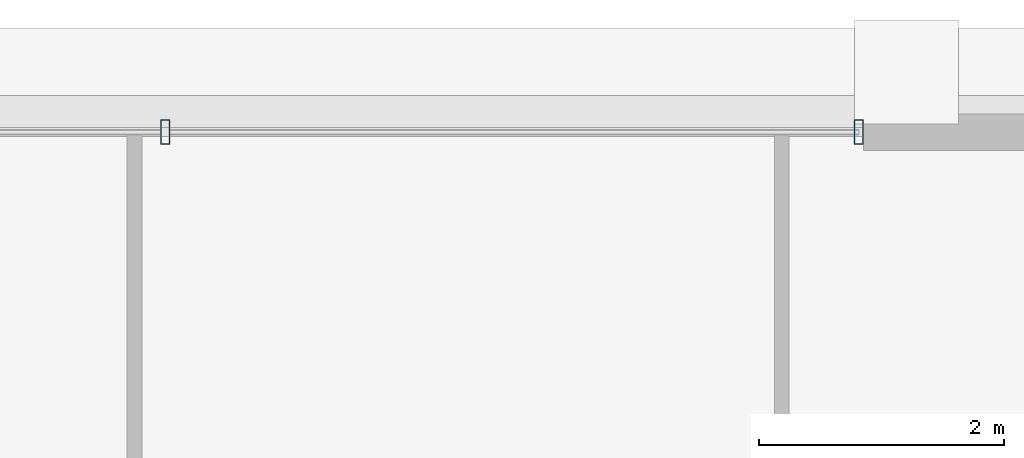
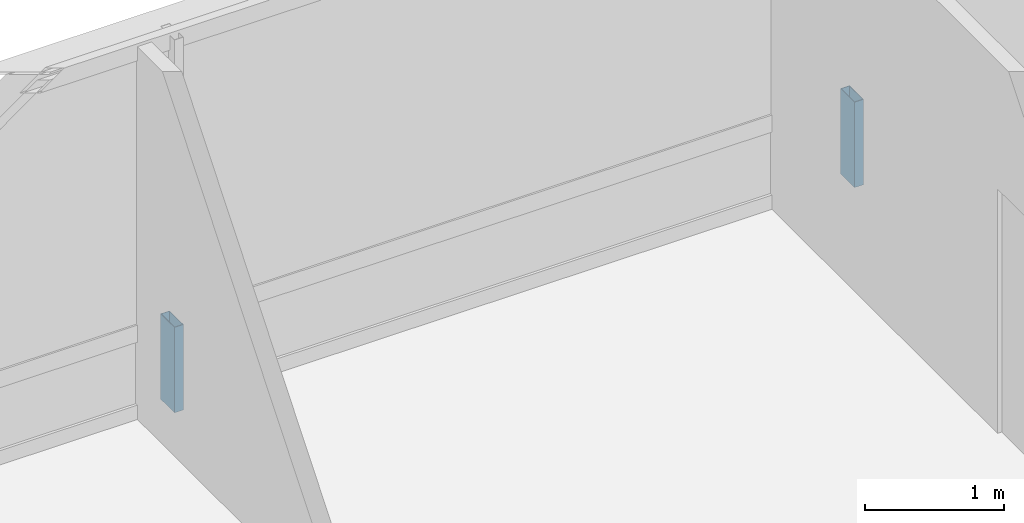
# One storey, part 28 of 35: 2 members, 1 element without a shape of its own.
"""IFC4 building model written with IfcOpenShell, lengths in metres."""

from ifc_helpers import new_model, si_unit, direction, frame, origin, origin_2d, place, context, subcontext, project, spatial, hollow_rectangle, extrude, source, transform, mapped, material, layer, layer_set, material_profile, profile_set, type_object, element, aggregate, save


model = new_model("IFC4")

# Units and contexts
model_context = context("Model", 3, precision=1e-05, world=origin(), true_north=direction((0.0, 1.0)))
body_context = subcontext(model_context, "Body", "Model", "MODEL_VIEW")
ifc_project = project(units=[si_unit("LENGTHUNIT", "METRE"), si_unit("AREAUNIT", "SQUARE_METRE"), si_unit("VOLUMEUNIT", "CUBIC_METRE"), si_unit("PLANEANGLEUNIT", "RADIAN"), si_unit("MASSUNIT", "GRAM", prefix="KILO"), si_unit("THERMODYNAMICTEMPERATUREUNIT", "KELVIN"), si_unit("POWERUNIT", "WATT")], contexts=[model_context])

# Site, building, storey
site_placement = place(None, origin())
site = spatial("IfcSite", under=ifc_project, at=site_placement, CompositionType="ELEMENT")
building_placement = place(site_placement, origin())
building = spatial("IfcBuilding", under=site, at=building_placement, Name="Yuzanri Waterfront Tower", CompositionType="ELEMENT")
storey_placement = place(building_placement, frame((0.0, 0.0, 311.199951171875)))
storey = spatial("IfcBuildingStorey", under=building, at=storey_placement, Name="L83", CompositionType="ELEMENT", Elevation=311.199951171875)

# Curtain wall, members
ifc_material_1 = material(Name="Anodized Architectural Bronze", Category="metal")
ifc_layer = layer(ifc_material_1, 0.159912109375)
ifc_layer_set = layer_set([ifc_layer], Name="Anodized Architectural Bronze")
curtain_wall_type = type_object("IfcCurtainWallType", Name="Anodized Bronze High-Rise Penthouse High-Wind Unitized Curtain Wall 6900", PredefinedType="NOTDEFINED", material=ifc_layer_set)
curtain_wall_placement = place(storey_placement, origin())
curtain_wall = element("IfcCurtainWall", 1, at=curtain_wall_placement, inside=storey, type_object=curtain_wall_type, Name="L83 Curtain Wall CW-L83-NR", PredefinedType="NOTDEFINED")
ifc_material_2 = material(Name="Anodized Architectural Bronze", Category="metal")
ifc_material_profile = material_profile(ifc_material_2, hollow_rectangle(XDim=0.074951171875, YDim=0.199951171875, WallThickness=0.00390625, at=origin_2d()), Name="CWM 75x200")
ifc_profile_set = profile_set([ifc_material_profile], Name="Anodized Architectural Bronze")
member_type = type_object("IfcMemberType", Name="Anodized Bronze Primary Curtain-Wall Mullion 75x200", PredefinedType="MULLION", material=ifc_profile_set)
shared_shape = source(origin(), body_context, "Body", "SweptSolid", [
    extrude(hollow_rectangle(XDim=0.074951171875, YDim=0.199951171875, WallThickness=0.00390625, at=origin_2d()), origin(), (0.0, 0.0, 1.0), 0.751953125),
])
member_1_placement = place(storey_placement, frame((43.050048828125, 44.75, 0.0), z_axis=(0.0, 0.0, 1.0), x_axis=(1.0, 0.0, 0.0)))
member_1 = element("IfcMember", 2, at=member_1_placement, type_object=member_type, Name="CW-L83-NR Lower Mullion 01", PredefinedType="MULLION", context=body_context, shape_type="MappedRepresentation", body=[
    mapped(shared_shape, transform((0.0, 0.0, 0.0), scale=1.0)),
])
member_2_placement = place(storey_placement, frame((48.7099609375, 44.75, 0.0), z_axis=(0.0, 0.0, 1.0), x_axis=(1.0, 0.0, 0.0)))
member_2 = element("IfcMember", 3, at=member_2_placement, type_object=member_type, Name="CW-L83-NR Lower Mullion 02", PredefinedType="MULLION", context=body_context, shape_type="MappedRepresentation", body=[
    mapped(shared_shape, transform((0.0, 0.0, 0.0), scale=1.0)),
])
aggregate(curtain_wall, [member_1, member_2])

save(model, "model.ifc")
